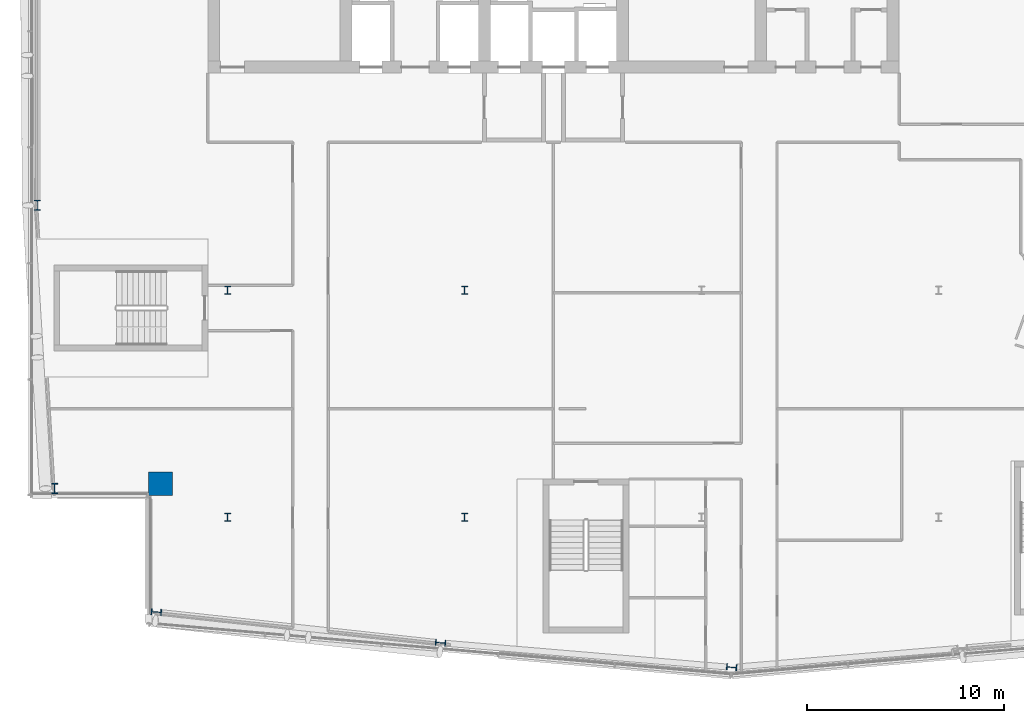
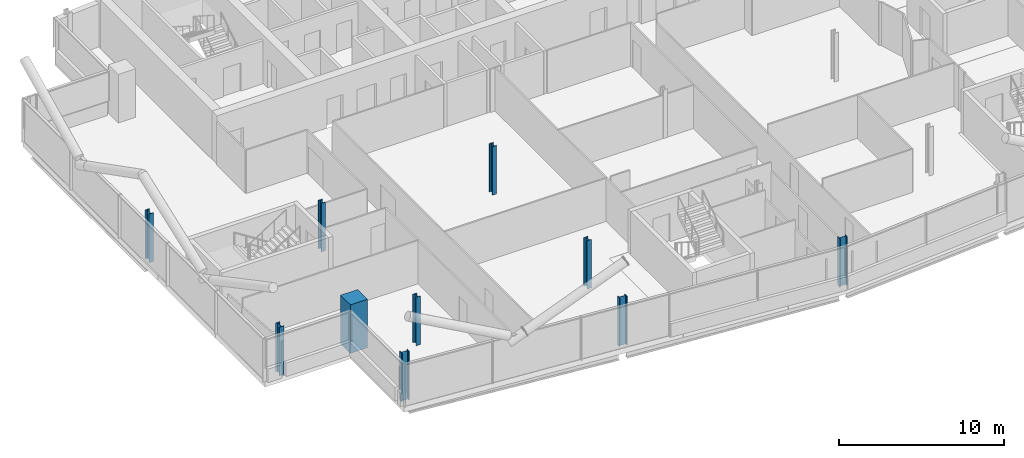
# One storey, part 1 of 28: 10 columns.
"""IFC4 building model written with IfcOpenShell, lengths in metres."""

import ifcopenshell
import ifcopenshell.guid

model = None  # the IFC model being written
_history = None  # IfcOwnerHistory: only IFC2X3 demands one
_inside = {}  # id of a spatial element -> (the spatial element, [elements in it])
_under = {}  # id of a project, library or spatial element -> (it, [spatial elements below it])
_declared = {}  # id of a project -> (the project, [libraries it declares])
_typed = {}  # id of a type object -> (the type object, [elements of that type])
_made_of = {}  # id of a material, layer set ... -> (it, [elements and type objects made of it])


def new_model(schema):
    """Start an empty IFC model of exactly this schema.

    Asked for "IFC4X3", IfcOpenShell would pick the latest addendum, in which some entities
    have other attributes; the version numbers below select the first issue.
    IFC2X3 requires an IfcOwnerHistory on every rooted entity: one is made here for all.
    """
    global model, _history
    if schema == "IFC4X3":
        model = ifcopenshell.file(schema_version=(4, 3, 0, 0))
    else:
        model = ifcopenshell.file(schema=schema)
    _inside.clear()
    _under.clear()
    _declared.clear()
    _typed.clear()
    _made_of.clear()
    _history = None
    if model.schema == "IFC2X3":
        org = make("IfcOrganization", Name="unknown")
        user = make(
            "IfcPersonAndOrganization",
            ThePerson=make("IfcPerson", FamilyName="unknown"),
            TheOrganization=org,
        )
        app = make(
            "IfcApplication",
            ApplicationDeveloper=org,
            Version="unknown",
            ApplicationFullName="unknown",
            ApplicationIdentifier="unknown",
        )
        _history = make(
            "IfcOwnerHistory",
            OwningUser=user,
            OwningApplication=app,
            ChangeAction="ADDED",
            CreationDate=0,
        )
    return model


def make(cls, **values):
    """One entity of the class cls with the attributes given. An attribute that is None is left unset."""
    return model.create_entity(
        cls, **{name: value for name, value in values.items() if value is not None}
    )


def rooted(cls, **values):
    """An entity with a GlobalId (a new one), such as an element, a storey or a relation."""
    return make(cls, GlobalId=ifcopenshell.guid.new(), OwnerHistory=_history, **values)


def si_unit(unit_type, name, prefix=None):
    """IfcSIUnit, for example si_unit("LENGTHUNIT", "METRE", prefix="MILLI")."""
    return make("IfcSIUnit", UnitType=unit_type, Prefix=prefix, Name=name)


def assignment(units):
    """IfcUnitAssignment: the units of a project."""
    return None if units is None else make("IfcUnitAssignment", Units=units)


def point(xyz):
    """IfcCartesianPoint."""
    return None if xyz is None else make("IfcCartesianPoint", Coordinates=xyz)


def direction(xyz):
    """IfcDirection."""
    return None if xyz is None else make("IfcDirection", DirectionRatios=xyz)


def frame(location, z_axis=None, x_axis=None):
    """IfcAxis2Placement3D, a coordinate frame: its origin and axes. An axis left out is left unset."""
    return make(
        "IfcAxis2Placement3D",
        Location=point(location),
        Axis=direction(z_axis),
        RefDirection=direction(x_axis),
    )


def frame_2d(location, x_axis=None):
    """IfcAxis2Placement2D, a coordinate frame in the plane: its origin and x axis."""
    return make(
        "IfcAxis2Placement2D", Location=point(location), RefDirection=direction(x_axis)
    )


def origin():
    """The frame at (0, 0, 0) with its axes left unset."""
    return frame((0.0, 0.0, 0.0))


def origin_2d():
    """The frame at (0, 0) in the plane with its x axis left unset."""
    return frame_2d((0.0, 0.0))


def place(relative_to, where):
    """IfcLocalPlacement: puts the frame where relative to a parent placement (None: the world)."""
    return make(
        "IfcLocalPlacement", PlacementRelTo=relative_to, RelativePlacement=where
    )


def context(
    kind, dimensions, precision=None, world=None, true_north=None, identifier=None
):
    """IfcGeometricRepresentationContext, for example the 3D "Model" context."""
    return make(
        "IfcGeometricRepresentationContext",
        ContextIdentifier=identifier,
        ContextType=kind,
        CoordinateSpaceDimension=dimensions,
        Precision=precision,
        WorldCoordinateSystem=world,
        TrueNorth=true_north,
    )


def subcontext(parent, identifier, kind, view, scale=None):
    """IfcGeometricRepresentationSubContext, for example "Body" below "Model"."""
    return make(
        "IfcGeometricRepresentationSubContext",
        ContextIdentifier=identifier,
        ContextType=kind,
        ParentContext=parent,
        TargetScale=scale,
        TargetView=view,
    )


def project(units=None, contexts=None):
    """IfcProject with its units and contexts."""
    return rooted(
        "IfcProject",
        Name="project",
        RepresentationContexts=contexts,
        UnitsInContext=assignment(units),
    )


def spatial(cls, under=None, at=None, **own):
    """A site, building, storey or space (cls), placed at a placement, below another one or the project."""
    s = rooted(cls, ObjectPlacement=at, **own)
    if under is not None:
        _under.setdefault(under.id(), (under, []))[1].append(s)
    return s


def profile(cls, at=None, kind="AREA", **sizes):
    """A parametric profile (cls). Its sizes go by their IFC names, for example OverallWidth=200.0."""
    return make(cls, ProfileType=kind, Position=at, **sizes)


def rectangle(**sizes):
    """IfcRectangleProfileDef."""
    return profile("IfcRectangleProfileDef", **sizes)


def i_section(**sizes):
    """IfcIShapeProfileDef."""
    return profile("IfcIShapeProfileDef", **sizes)


def extrude(swept, where, along, depth):
    """IfcExtrudedAreaSolid: the profile swept, set in the frame where, extruded along a direction by depth."""
    return make(
        "IfcExtrudedAreaSolid",
        SweptArea=swept,
        Position=where,
        ExtrudedDirection=direction(along),
        Depth=depth,
    )


def shape(context_of_items, identifier, shape_type, items):
    """IfcShapeRepresentation: the items that make up one representation, for example the "Body"."""
    return make(
        "IfcShapeRepresentation",
        ContextOfItems=context_of_items,
        RepresentationIdentifier=identifier,
        RepresentationType=shape_type,
        Items=items,
    )


def material(Name=None, Category=None):
    """IfcMaterial."""
    return make("IfcMaterial", Name=Name, Category=Category)


def material_profile(
    of_material, cross_section, Name=None, Category=None, Priority=None
):
    """IfcMaterialProfile: a cross section and its material."""
    return make(
        "IfcMaterialProfile",
        Name=Name,
        Material=of_material,
        Profile=cross_section,
        Priority=Priority,
        Category=Category,
    )


def profile_set(profiles, Name=None, composite=None):
    """IfcMaterialProfileSet."""
    return make(
        "IfcMaterialProfileSet",
        Name=Name,
        MaterialProfiles=profiles,
        CompositeProfile=composite,
    )


def made_of(thing, what):
    """Note that an element or type object is made of a material, layer set ...; save() writes the relation."""
    if what is not None:
        _made_of.setdefault(what.id(), (what, []))[1].append(thing)
    return thing


def type_object(cls, material=None, **own):
    """A type object (cls), such as IfcWallType, which elements share."""
    return made_of(rooted(cls, **own), material)


def element(
    cls,
    number,
    at=None,
    inside=None,
    cuts=None,
    type_object=None,
    material=None,
    context=None,
    identifier="Body",
    shape_type=None,
    held_by="IfcProductDefinitionShape",
    body=None,
    shapes=None,
    **own,
):
    """One element of the class cls, such as IfcWall. Its Tag is "e" and its number.

    at: its placement. inside: the storey or other place that contains it. cuts: it is an
    opening in that element (IfcRelVoidsElement). A single representation is given by context,
    identifier, shape_type and body (its items); several are given by shapes. held_by: the class
    of the entity that holds the representations. save() writes the other relations.
    """
    e = rooted(cls, Tag="e%d" % number, ObjectPlacement=at, **own)
    if body is not None:
        shapes = [shape(context, identifier, shape_type, body)]
    if shapes is not None:
        e.Representation = make(held_by, Representations=shapes)
    if inside is not None:
        _inside.setdefault(inside.id(), (inside, []))[1].append(e)
    if cuts is not None:
        rooted(
            "IfcRelVoidsElement", RelatingBuildingElement=cuts, RelatedOpeningElement=e
        )
    if type_object is not None:
        _typed.setdefault(type_object.id(), (type_object, []))[1].append(e)
    return made_of(e, material)


def aggregate(whole, parts):
    """IfcRelAggregates: a whole, such as a stair, and the parts it consists of."""
    return rooted("IfcRelAggregates", RelatingObject=whole, RelatedObjects=parts)


def save(model, path):
    """Write the relations noted so far, then the file.

    IfcRelAggregates (storeys below a building ...), IfcRelContainedInSpatialStructure (elements
    in a storey), IfcRelDefinesByType, IfcRelAssociatesMaterial and IfcRelDeclares: one each for
    every whole, place, type object, material and project.
    """
    for whole, parts in _under.values():
        aggregate(whole, parts)
    for where, things in _inside.values():
        rooted(
            "IfcRelContainedInSpatialStructure",
            RelatedElements=things,
            RelatingStructure=where,
        )
    for kind, things in _typed.values():
        rooted("IfcRelDefinesByType", RelatedObjects=things, RelatingType=kind)
    for what, things in _made_of.values():
        rooted("IfcRelAssociatesMaterial", RelatedObjects=things, RelatingMaterial=what)
    for by, libraries in _declared.values():
        rooted("IfcRelDeclares", RelatingContext=by, RelatedDefinitions=libraries)
    model.write(path)


model = new_model("IFC4")

# Units and contexts
model_context = context("Model", 3, precision=1e-05, world=origin(), true_north=direction((0.0, 1.0)))
body_context = subcontext(model_context, "Body", "Model", "MODEL_VIEW")
ifc_project = project(units=[si_unit("LENGTHUNIT", "METRE"), si_unit("AREAUNIT", "SQUARE_METRE"), si_unit("VOLUMEUNIT", "CUBIC_METRE"), si_unit("PLANEANGLEUNIT", "RADIAN"), si_unit("MASSUNIT", "GRAM", prefix="KILO")], contexts=[model_context])

# Site, building, storey
site_placement = place(None, origin())
site = spatial("IfcSite", under=ifc_project, at=site_placement, CompositionType="ELEMENT")
building_placement = place(site_placement, origin())
building = spatial("IfcBuilding", under=site, at=building_placement, Name="Wharfspan Tower", CompositionType="ELEMENT")
storey_placement = place(building_placement, frame((0.0, 0.0, 253.899902)))
storey = spatial("IfcBuildingStorey", under=building, at=storey_placement, Name="L64", CompositionType="ELEMENT", Elevation=253.899902)

# Columns
ifc_material_1 = material(Name="Steel S355J2", Category="steel")
ifc_material_profile_1 = material_profile(ifc_material_1, i_section(OverallWidth=0.300049, OverallDepth=0.399902, WebThickness=0.013428, FlangeThickness=0.023926, FilletRadius=0.0271, at=origin_2d()))
ifc_profile_set_1 = profile_set([ifc_material_profile_1], Name="Steel S355J2")
column_type_1 = type_object("IfcColumnType", Name="Column HEB 400", PredefinedType="COLUMN", material=ifc_profile_set_1)
for number, where, z_axis, x_axis, name in (
    (1, (24.0, 11.5, 0.0), (0.0, 0.0, 1.0), (1.0, 0.0, 0.0), "Interior column I.1.1 L64"),
    (2, (36.0, 11.5, 0.0), (0.0, 0.0, 1.0), (1.0, 0.0, 0.0), "Interior column I.1.2 L64"),
    (3, (24.0, 23.0, 0.0), (0.0, 0.0, 1.0), (1.0, 0.0, 0.0), "Interior column I.2.1 L64"),
    (4, (36.0, 23.0, 0.0), (0.0, 0.0, 1.0), (1.0, 0.0, 0.0), "Interior column I.2.2 L64"),
):
    element("IfcColumn", number, at=place(storey_placement, frame(where, z_axis=z_axis, x_axis=x_axis)), inside=storey, type_object=column_type_1, Name=name, PredefinedType="COLUMN", context=body_context, shape_type="SweptSolid", body=[
        extrude(i_section(OverallWidth=0.300049, OverallDepth=0.399902, WebThickness=0.013428, FlangeThickness=0.023926, FilletRadius=0.0271, at=origin_2d()), origin(), (0.0, 0.0, 1.0), 3.600098),
    ])
ifc_material_profile_2 = material_profile(ifc_material_1, i_section(OverallWidth=0.305908, OverallDepth=0.523926, WebThickness=0.020996, FlangeThickness=0.040039, FilletRadius=0.0271, at=origin_2d()))
ifc_profile_set_2 = profile_set([ifc_material_profile_2], Name="Steel S355J2")
column_type_2 = type_object("IfcColumnType", Name="Column HEM 500", PredefinedType="COLUMN", material=ifc_profile_set_2)
for number, where, z_axis, x_axis, name in (
    (5, (20.392334, 6.702637, 0.0), (0.0, 0.0, 1.0), (-0.087156, -0.996197, 0.0), "Perimeter column PS1.1 L64"),
    (6, (34.781494, 5.143311, 0.0), (0.0, 0.0, 1.0), (-0.087156, -0.996197, 0.0), "Perimeter column PS1.2 L64"),
    (7, (49.522949, 3.9021, 0.0), (0.0, 0.0, 1.0), (-0.087156, -0.996197, 0.0), "Perimeter column PS1.3 L64"),
    (8, (14.360107, 27.300049, 0.0), (0.0, 0.0, 1.0), (-1.0, 0.0, 0.0), "Perimeter column PW.1 L64"),
    (9, (15.237793, 12.963379, 0.0), (0.0, 0.0, 1.0), (-1.0, 0.0, 0.0), "Perimeter column PW.2 L64"),
):
    element("IfcColumn", number, at=place(storey_placement, frame(where, z_axis=z_axis, x_axis=x_axis)), inside=storey, type_object=column_type_2, Name=name, PredefinedType="COLUMN", context=body_context, shape_type="SweptSolid", body=[
        extrude(i_section(OverallWidth=0.305908, OverallDepth=0.523926, WebThickness=0.020996, FlangeThickness=0.040039, FilletRadius=0.0271, at=origin_2d()), origin(), (0.0, 0.0, 1.0), 3.600098),
    ])
ifc_material_2 = material(Name="Concrete C50/60", Category="concrete")
ifc_material_profile_3 = material_profile(ifc_material_2, rectangle(XDim=1.199951, YDim=1.199951, at=origin_2d()))
ifc_profile_set_3 = profile_set([ifc_material_profile_3], Name="Concrete C50/60")
column_type_3 = type_object("IfcColumnType", Name="Mega column 1200 C50/60", PredefinedType="COLUMN", material=ifc_profile_set_3)
column_placement = place(storey_placement, frame((20.600098, 13.199951, 0.0), z_axis=(0.0, 0.0, 1.0), x_axis=(1.0, 0.0, 0.0)))
element("IfcColumn", 10, at=column_placement, inside=storey, type_object=column_type_3, Name="Mega column MC1 L64", PredefinedType="COLUMN", context=body_context, shape_type="SweptSolid", body=[
    extrude(rectangle(XDim=1.199951, YDim=1.199951, at=origin_2d()), origin(), (0.0, 0.0, 1.0), 3.600098),
])

save(model, "model.ifc")
